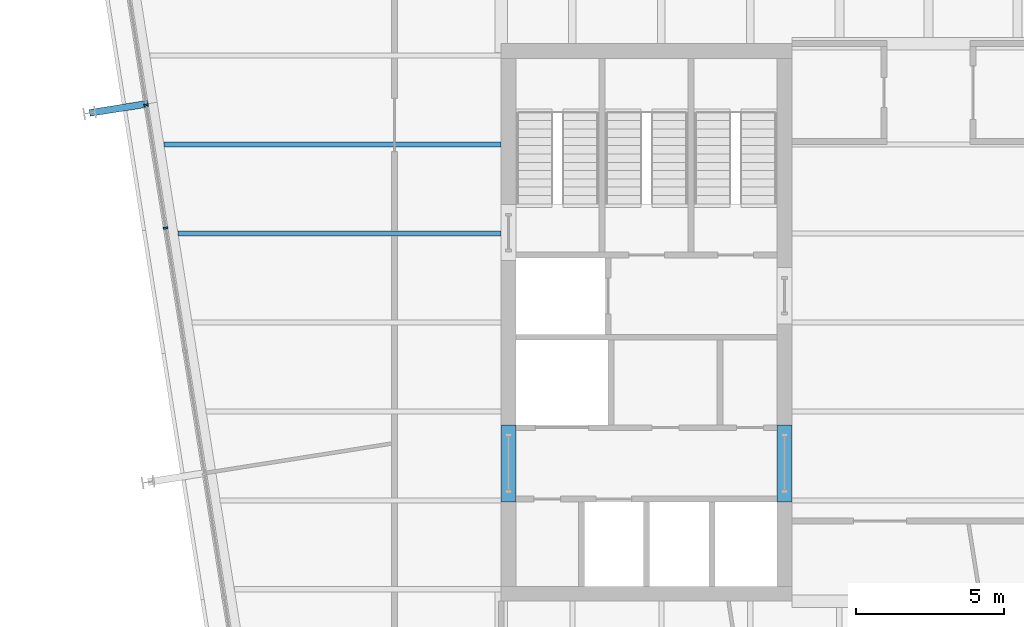
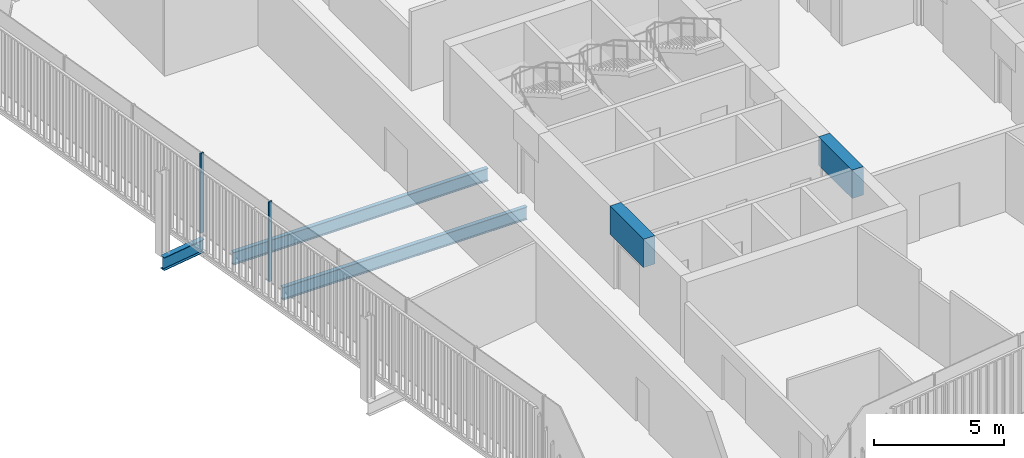
# One storey, part 6 of 20: 5 beams, 2 members, 1 element without a shape of its own.
"""IFC4 building model written with IfcOpenShell, lengths in metres."""

from ifc_helpers import new_model, si_unit, direction, frame, origin, origin_2d, place, context, subcontext, project, spatial, rectangle, i_section, extrude, material, layer, layer_set, material_profile, profile_set, type_object, element, aggregate, save


model = new_model("IFC4")

# Units and contexts
model_context = context("Model", 3, precision=1e-05, world=origin(), true_north=direction((0.0, 1.0)))
body_context = subcontext(model_context, "Body", "Model", "MODEL_VIEW")
ifc_project = project(units=[si_unit("LENGTHUNIT", "METRE"), si_unit("AREAUNIT", "SQUARE_METRE"), si_unit("VOLUMEUNIT", "CUBIC_METRE"), si_unit("PLANEANGLEUNIT", "RADIAN"), si_unit("MASSUNIT", "GRAM", prefix="KILO")], contexts=[model_context])

# Site, building, storey
site_placement = place(None, origin())
site = spatial("IfcSite", under=ifc_project, at=site_placement, CompositionType="ELEMENT")
building_placement = place(site_placement, origin())
building = spatial("IfcBuilding", under=site, at=building_placement, Name="Millrace Tower", CompositionType="ELEMENT")
storey_placement = place(building_placement, frame((0.0, 0.0, 251.300048828125)))
storey = spatial("IfcBuildingStorey", under=building, at=storey_placement, Name="L57", CompositionType="ELEMENT", Elevation=251.300048828125)

# Curtain wall, members
ifc_material_1 = material(Name="Aluminium and glass", Category="aluminium")
ifc_layer = layer(ifc_material_1, 0.14990234375)
ifc_layer_set = layer_set([ifc_layer], Name="Aluminium and glass")
curtain_wall_type = type_object("IfcCurtainWallType", Name="CW-1 office vision curtain wall", PredefinedType="NOTDEFINED", material=ifc_layer_set)
curtain_wall_placement = place(storey_placement, origin())
curtain_wall = element("IfcCurtainWall", 1, at=curtain_wall_placement, inside=storey, type_object=curtain_wall_type, Name="Curtain wall D-F08 L57", PredefinedType="NOTDEFINED")
ifc_material_2 = material(Name="Aluminium", Category="aluminium")
ifc_material_profile_1 = material_profile(ifc_material_2, rectangle(XDim=0.06494140625, YDim=0.14990234375, at=origin_2d()))
ifc_profile_set_1 = profile_set([ifc_material_profile_1], Name="Aluminium")
member_type = type_object("IfcMemberType", Name="CW-1 office vision curtain wall mullion", PredefinedType="MULLION", material=ifc_profile_set_1)
member_1_placement = place(storey_placement, frame((-26.371337890625, 7.33056640625, 0.139892578125), z_axis=(0.0, 0.0, 1.0), x_axis=(0.156434471884, -0.987688339511, 0.0)))
member_1 = element("IfcMember", 2, at=member_1_placement, type_object=member_type, Name="CW1 mullion D-F08.4", PredefinedType="MULLION", context=body_context, shape_type="SweptSolid", body=[
    extrude(rectangle(XDim=0.06494140625, YDim=0.14990234375, at=origin_2d()), origin(), (0.0, 0.0, 1.0), 3.760009765625),
])
member_2_placement = place(storey_placement, frame((-25.71435546875, 3.182373046875, 0.139892578125), z_axis=(0.0, 0.0, 1.0), x_axis=(0.156434471884, -0.987688339511, 0.0)))
member_2 = element("IfcMember", 3, at=member_2_placement, type_object=member_type, Name="CW1 mullion D-F08.5", PredefinedType="MULLION", context=body_context, shape_type="SweptSolid", body=[
    extrude(rectangle(XDim=0.06494140625, YDim=0.14990234375, at=origin_2d()), origin(), (0.0, 0.0, 1.0), 3.760009765625),
])
aggregate(curtain_wall, [member_1, member_2])

# Beams
ifc_material_3 = material(Name="Concrete C60", Category="concrete")
ifc_material_profile_2 = material_profile(ifc_material_3, rectangle(XDim=0.5, YDim=1.340087890625, at=origin_2d()))
ifc_profile_set_2 = profile_set([ifc_material_profile_2], Name="Concrete C60")
beam_type_1 = type_object("IfcBeamType", Name="Coupling beam 500 x 1340 Concrete C60, 2000 opening", PredefinedType="BEAM", material=ifc_profile_set_2)
for number, where, z_axis, x_axis, name in (
    (4, (-14.14990234375, -6.050048828125, 3.070068359375), (0.0, 1.0, 0.0), (-1.0, 0.0, 0.0), "Coupling beam W L57"),
    (5, (-4.85009765625, -6.050048828125, 3.070068359375), (0.0, 1.0, 0.0), (-1.0, 0.0, 0.0), "Coupling beam W L57"),
):
    element("IfcBeam", number, at=place(storey_placement, frame(where, z_axis=z_axis, x_axis=x_axis)), inside=storey, type_object=beam_type_1, Name=name, PredefinedType="BEAM", context=body_context, shape_type="SweptSolid", body=[
        extrude(rectangle(XDim=0.5, YDim=1.340087890625, at=origin_2d()), origin(), (0.0, 0.0, 1.0), 2.60009765625),
    ])
ifc_material_4 = material(Name="Steel ASTM A992 Grade 50", Category="steel")
ifc_material_profile_3 = material_profile(ifc_material_4, i_section(OverallWidth=0.1787109375, OverallDepth=0.60205078125, WebThickness=0.010986328125, FlangeThickness=0.014892578125, FilletRadius=0.0126953125, at=origin_2d()))
ifc_profile_set_3 = profile_set([ifc_material_profile_3], Name="Steel ASTM A992 Grade 50")
beam_type_2 = type_object("IfcBeamType", Name="Floor beam W24x62", PredefinedType="JOIST", material=ifc_profile_set_3)
beam_1_placement = place(storey_placement, frame((-25.29833984375, 3.0, -0.4609375), z_axis=(1.0, 0.0, 0.0), x_axis=(0.0, 1.0, 0.0)))
element("IfcBeam", 6, at=beam_1_placement, inside=storey, type_object=beam_type_2, Name="BM-D-L57-S1-S018", PredefinedType="JOIST", context=body_context, shape_type="SweptSolid", body=[
    extrude(i_section(OverallWidth=0.1787109375, OverallDepth=0.60205078125, WebThickness=0.010986328125, FlangeThickness=0.014892578125, FilletRadius=0.0126953125, at=origin_2d()), origin(), (0.0, 0.0, 1.0), 10.8984375),
])
beam_2_placement = place(storey_placement, frame((-25.7734375, 6.0, -0.4609375), z_axis=(1.0, 0.0, 0.0), x_axis=(0.0, 1.0, 0.0)))
element("IfcBeam", 7, at=beam_2_placement, inside=storey, type_object=beam_type_2, Name="BM-D-L57-S1-S021", PredefinedType="JOIST", context=body_context, shape_type="SweptSolid", body=[
    extrude(i_section(OverallWidth=0.1787109375, OverallDepth=0.60205078125, WebThickness=0.010986328125, FlangeThickness=0.014892578125, FilletRadius=0.0126953125, at=origin_2d()), origin(), (0.0, 0.0, 1.0), 11.37353515625),
])
ifc_material_5 = material(Name="Steel ASTM A992 Grade 50", Category="steel")
ifc_material_profile_4 = material_profile(ifc_material_5, i_section(OverallWidth=0.23046875, OverallDepth=0.6171875, WebThickness=0.01318359375, FlangeThickness=0.022216796875, FilletRadius=0.012939453125, at=origin_2d()))
ifc_profile_set_4 = profile_set([ifc_material_profile_4], Name="Steel ASTM A992 Grade 50")
beam_type_3 = type_object("IfcBeamType", Name="Link beam W24x94", PredefinedType="BEAM", material=ifc_profile_set_4)
beam_3_placement = place(storey_placement, frame((-26.302490234375, 7.37451171875, -0.46875), z_axis=(-0.987678691416, -0.156495375404, 0.0), x_axis=(0.156495375404, -0.987678691416, 0.0)))
element("IfcBeam", 8, at=beam_3_placement, inside=storey, type_object=beam_type_3, Name="LNK-D-L57-S1-03", PredefinedType="BEAM", context=body_context, shape_type="SweptSolid", body=[
    extrude(i_section(OverallWidth=0.23046875, OverallDepth=0.6171875, WebThickness=0.01318359375, FlangeThickness=0.022216796875, FilletRadius=0.012939453125, at=origin_2d()), origin(), (0.0, 0.0, 1.0), 2.0),
])

save(model, "model.ifc")
